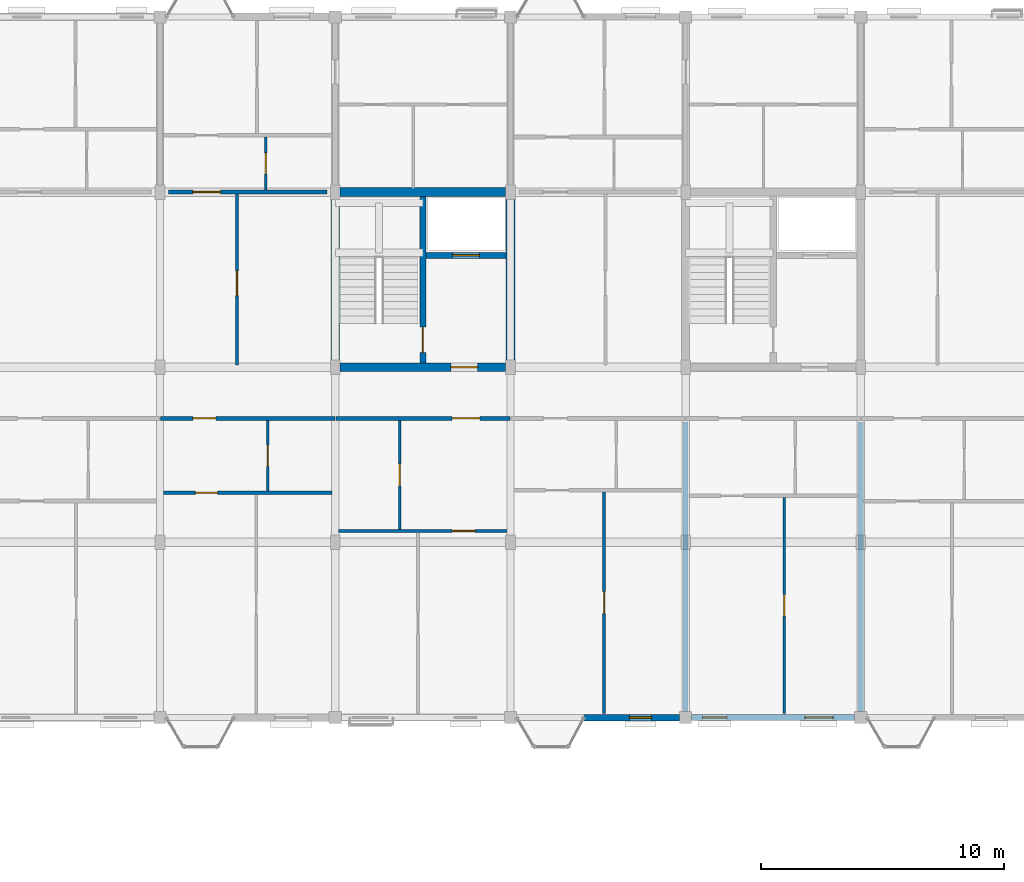
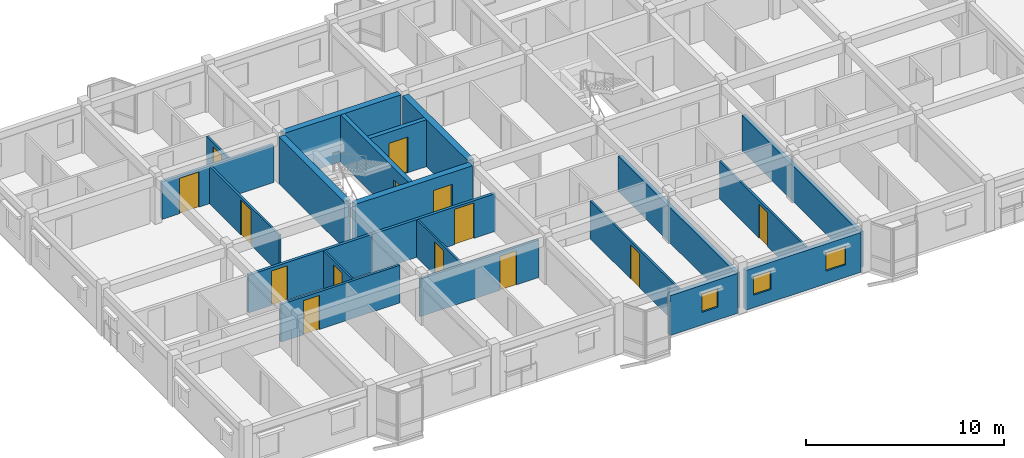
# One storey, part 53 of 64: 21 walls, 14 doors, 3 windows, 17 openings.
"""IFC4 building model written with IfcOpenShell, lengths in metres."""

from ifc_helpers import new_model, si_unit, direction, frame, frame_2d, origin, place, context, subcontext, project, spatial, rectangle, extrude, material, layer, layer_set, type_object, element, fill, save


model = new_model("IFC4")

# Units and contexts
model_context = context("Model", 3, precision=1e-05, world=origin(), true_north=direction((0.0, 1.0)))
body_context = subcontext(model_context, "Body", "Model", "MODEL_VIEW")
ifc_project = project(units=[si_unit("LENGTHUNIT", "METRE"), si_unit("AREAUNIT", "SQUARE_METRE"), si_unit("VOLUMEUNIT", "CUBIC_METRE"), si_unit("PLANEANGLEUNIT", "RADIAN"), si_unit("MASSUNIT", "GRAM", prefix="KILO"), si_unit("THERMODYNAMICTEMPERATUREUNIT", "KELVIN"), si_unit("POWERUNIT", "WATT")], contexts=[model_context])

# Site, building, storey
site_placement = place(None, origin())
site = spatial("IfcSite", under=ifc_project, at=site_placement, CompositionType="ELEMENT")
building_placement = place(site_placement, origin())
building = spatial("IfcBuilding", under=site, at=building_placement, Name="Tavuni Mirador Residences", CompositionType="ELEMENT")
storey_placement = place(building_placement, frame((0.0, 0.0, 26.550048828125)))
storey = spatial("IfcBuildingStorey", under=building, at=storey_placement, Name="L08", CompositionType="ELEMENT", Elevation=26.550048828125)

# Wall, opening, door
ifc_material_1 = material(Name="Precast concrete C40/50", Category="concrete")
ifc_layer_1 = layer(ifc_material_1, 0.25, Name="Precast concrete C40/50", Category="concrete")
ifc_layer_set_1 = layer_set([ifc_layer_1], Name="Precast concrete C40/50")
wall_type_1 = type_object("IfcWallType", Name="WT-COR250", PredefinedType="SHEAR", material=ifc_layer_set_1)
wall_1_placement = place(storey_placement, frame((28.800048828125, 158.580078125, 0.0), z_axis=(0.0, 0.0, 1.0), x_axis=(0.0, 1.0, 0.0)))
wall_1 = element("IfcWall", 1, at=wall_1_placement, inside=storey, type_object=wall_type_1, Name="CWALL-C5-L08-MID", PredefinedType="SHEAR", context=body_context, shape_type="SweptSolid", body=[
    extrude(rectangle(XDim=6.83984375, YDim=0.25, at=frame_2d((3.419921875, 0.0))), origin(), (0.0, 0.0, 1.0), 2.885009765625),
])
opening_1_placement = place(wall_1_placement, frame((0.419921875, 0.0, 0.0)))
opening_1 = element("IfcOpeningElement", 2, at=opening_1_placement, cuts=wall_1, Name="Opening D-01", PredefinedType="OPENING", context=body_context, shape_type="SweptSolid", body=[
    extrude(rectangle(XDim=1.050048828125, YDim=2.14990234375, at=frame_2d((0.52490234375, 1.074951171875))), frame((0.0, 0.135009765625, 0.0), z_axis=(0.0, -1.0, 0.0), x_axis=(1.0, 0.0, 0.0)), (0.0, 0.0, 1.0), 0.27001953125),
])
ifc_material_2 = material(Name="Solid core iroko timber", Category="wood")
door_type_1 = type_object("IfcDoorType", Name="DT-ST1050", OperationType="NOTDEFINED", PredefinedType="DOOR", material=ifc_material_2)
door_1_placement = place(opening_1_placement, origin())
door_1 = element("IfcDoor", 3, at=door_1_placement, inside=storey, type_object=door_type_1, Name="DR-2199", OperationType="SINGLE_SWING_LEFT", OverallHeight=2.14990234375, OverallWidth=1.050048828125, PredefinedType="DOOR", context=body_context, shape_type="SweptSolid", body=[
    extrude(rectangle(XDim=1.050048828125, YDim=2.14990234375, at=frame_2d((0.52490234375, 1.074951171875))), frame((0.0, 0.02490234375, 0.0), z_axis=(0.0, -1.0, 0.0), x_axis=(1.0, 0.0, 0.0)), (0.0, 0.0, 1.0), 0.050048828125),
])
fill(opening_1, door_1)

wall_2_placement = place(storey_placement, frame((28.925048828125, 163.0, 0.0), z_axis=(0.0, 0.0, 1.0), x_axis=(1.0, 0.0, 0.0)))
wall_2 = element("IfcWall", 4, at=wall_2_placement, inside=storey, type_object=wall_type_1, Name="CWALL-C5-L08-SHF", PredefinedType="SHEAR", context=body_context, shape_type="SweptSolid", body=[
    extrude(rectangle(XDim=3.294921875, YDim=0.25, at=frame_2d((1.6474609375, 0.0))), origin(), (0.0, 0.0, 1.0), 2.885009765625),
])
opening_2_placement = place(wall_2_placement, frame((1.10009765625, 0.0, 0.0)))
opening_2 = element("IfcOpeningElement", 5, at=opening_2_placement, cuts=wall_2, Name="Opening LD-01", PredefinedType="OPENING", context=body_context, shape_type="SweptSolid", body=[
    extrude(rectangle(XDim=1.10009765625, YDim=2.199951171875, at=frame_2d((0.550048828125, 1.10009765625))), frame((0.0, 0.135009765625, 0.0), z_axis=(0.0, -1.0, 0.0), x_axis=(1.0, 0.0, 0.0)), (0.0, 0.0, 1.0), 0.27001953125),
])
ifc_material_3 = material(Name="Structural steel S355", Category="steel")
door_type_2 = type_object("IfcDoorType", Name="DT-LD-FF", OperationType="SLIDING_TO_LEFT", PredefinedType="DOOR", material=ifc_material_3)
door_2_placement = place(opening_2_placement, origin())
door_2 = element("IfcDoor", 6, at=door_2_placement, inside=storey, type_object=door_type_2, Name="Lift landing door FL-C1 L08", OperationType="SLIDING_TO_LEFT", OverallHeight=2.199951171875, OverallWidth=1.10009765625, PredefinedType="DOOR", context=body_context, shape_type="SweptSolid", body=[
    extrude(rectangle(XDim=1.10009765625, YDim=2.199951171875, at=frame_2d((0.550048828125, 1.10009765625))), frame((0.0, 0.02490234375, 0.0), z_axis=(0.0, -1.0, 0.0), x_axis=(1.0, 0.0, 0.0)), (0.0, 0.0, 1.0), 0.050048828125),
])
fill(opening_2, door_2)

# Walls
ifc_layer_2 = layer(ifc_material_1, 0.360107421875, Name="Precast concrete C40/50", Category="concrete")
ifc_layer_set_2 = layer_set([ifc_layer_2], Name="Precast concrete C40/50")
wall_type_2 = type_object("IfcWallType", Name="WT-COR360", PredefinedType="SHEAR", material=ifc_layer_set_2)
wall_3_placement = place(storey_placement, frame((25.199951171875, 158.699951171875, 0.0), z_axis=(0.0, 0.0, 1.0), x_axis=(0.0, 1.0, 0.0)))
element("IfcWall", 7, at=wall_3_placement, inside=storey, type_object=wall_type_2, Name="CWALL-C5-L08-W", PredefinedType="SHEAR", context=body_context, shape_type="SweptSolid", body=[
    extrude(rectangle(XDim=6.60009765625, YDim=0.360107421875, at=frame_2d((3.300048828125, 0.0))), origin(), (0.0, 0.0, 1.0), 2.885009765625),
])
wall_4_placement = place(storey_placement, frame((25.39990234375, 165.60009765625, 0.0), z_axis=(0.0, 0.0, 1.0), x_axis=(1.0, 0.0, 0.0)))
element("IfcWall", 8, at=wall_4_placement, inside=storey, type_object=wall_type_2, Name="CWALL-C5-L08-N", PredefinedType="SHEAR", context=body_context, shape_type="SweptSolid", body=[
    extrude(rectangle(XDim=6.800048828125, YDim=0.360107421875, at=frame_2d((3.39990234375, 0.0))), origin(), (0.0, 0.0, 1.0), 2.885009765625),
])
wall_5_placement = place(storey_placement, frame((32.39990234375, 158.699951171875, 0.0), z_axis=(0.0, 0.0, 1.0), x_axis=(0.0, 1.0, 0.0)))
element("IfcWall", 9, at=wall_5_placement, inside=storey, type_object=wall_type_2, Name="CWALL-C5-L08-E", PredefinedType="SHEAR", context=body_context, shape_type="SweptSolid", body=[
    extrude(rectangle(XDim=6.60009765625, YDim=0.360107421875, at=frame_2d((3.300048828125, 0.0))), origin(), (0.0, 0.0, 1.0), 2.885009765625),
])

# Wall, opening, door
wall_6_placement = place(storey_placement, frame((25.39990234375, 158.39990234375, 0.0), z_axis=(0.0, 0.0, 1.0), x_axis=(1.0, 0.0, 0.0)))
wall_6 = element("IfcWall", 10, at=wall_6_placement, inside=storey, type_object=wall_type_2, Name="CWALL-C5-L08-SS", PredefinedType="SHEAR", context=body_context, shape_type="SweptSolid", body=[
    extrude(rectangle(XDim=6.800048828125, YDim=0.360107421875, at=frame_2d((3.39990234375, 0.0))), origin(), (0.0, 0.0, 1.0), 2.885009765625),
])
opening_3_placement = place(wall_6_placement, frame((4.550048828125, 0.0, 0.0)))
opening_3 = element("IfcOpeningElement", 11, at=opening_3_placement, cuts=wall_6, Name="Opening D-02", PredefinedType="OPENING", context=body_context, shape_type="SweptSolid", body=[
    extrude(rectangle(XDim=1.10009765625, YDim=2.14990234375, at=frame_2d((0.550048828125, 1.074951171875))), frame((0.0, 0.18994140625, 0.0), z_axis=(0.0, -1.0, 0.0), x_axis=(1.0, 0.0, 0.0)), (0.0, 0.0, 1.0), 0.380126953125),
])
door_type_3 = type_object("IfcDoorType", Name="DT-LOB1100", OperationType="NOTDEFINED", PredefinedType="DOOR", material=ifc_material_2)
door_3_placement = place(opening_3_placement, frame((1.10009765625, 0.0, 0.0), z_axis=(0.0, 0.0, 1.0), x_axis=(-1.0, 0.0, 0.0)))
door_3 = element("IfcDoor", 12, at=door_3_placement, inside=storey, type_object=door_type_3, Name="DR-2198", OperationType="SINGLE_SWING_RIGHT", OverallHeight=2.14990234375, OverallWidth=1.10009765625, PredefinedType="DOOR", context=body_context, shape_type="SweptSolid", body=[
    extrude(rectangle(XDim=1.10009765625, YDim=2.14990234375, at=frame_2d((0.550048828125, 1.074951171875))), frame((0.0, 0.02490234375, 0.0), z_axis=(0.0, -1.0, 0.0), x_axis=(1.0, 0.0, 0.0)), (0.0, 0.0, 1.0), 0.050048828125),
])
fill(opening_3, door_3)

ifc_layer_3 = layer(ifc_material_1, 0.1650390625, Name="Precast concrete C40/50", Category="concrete")
ifc_layer_set_3 = layer_set([ifc_layer_3], Name="Precast concrete C40/50")
wall_type_3 = type_object("IfcWallType", Name="WT-CORR165", PredefinedType="PARTITIONING", material=ifc_layer_set_3)
wall_7_placement = place(storey_placement, frame((18.02001953125, 156.300048828125, 0.0), z_axis=(0.0, 0.0, 1.0), x_axis=(1.0, 0.0, 0.0)))
wall_7 = element("IfcWall", 13, at=wall_7_placement, inside=storey, type_object=wall_type_3, Name="CORW-BLK-C-L08-0-01", PredefinedType="PARTITIONING", context=body_context, shape_type="SweptSolid", body=[
    extrude(rectangle(XDim=7.159912109375, YDim=0.1650390625, at=frame_2d((3.580078125, 0.0))), origin(), (0.0, 0.0, 1.0), 2.320068359375),
])
opening_4_placement = place(wall_7_placement, frame((1.330078125, 0.0, 0.0)))
opening_4 = element("IfcOpeningElement", 14, at=opening_4_placement, cuts=wall_7, Name="Opening D-19", PredefinedType="OPENING", context=body_context, shape_type="SweptSolid", body=[
    extrude(rectangle(XDim=0.93994140625, YDim=2.1201171875, at=frame_2d((0.469970703125, 1.06005859375))), frame((0.0, 0.092529296875, 0.0), z_axis=(0.0, -1.0, 0.0), x_axis=(1.0, 0.0, 0.0)), (0.0, 0.0, 1.0), 0.18505859375),
])
door_type_4 = type_object("IfcDoorType", Name="DT-FD60-940", OperationType="NOTDEFINED", PredefinedType="DOOR", material=ifc_material_2)
door_4_placement = place(opening_4_placement, origin())
door_4 = element("IfcDoor", 15, at=door_4_placement, inside=storey, type_object=door_type_4, Name="DR-2740", OperationType="SINGLE_SWING_LEFT", OverallHeight=2.1201171875, OverallWidth=0.93994140625, PredefinedType="DOOR", context=body_context, shape_type="SweptSolid", body=[
    extrude(rectangle(XDim=0.93994140625, YDim=2.1201171875, at=frame_2d((0.469970703125, 1.06005859375))), frame((0.0, 0.02490234375, 0.0), z_axis=(0.0, -1.0, 0.0), x_axis=(1.0, 0.0, 0.0)), (0.0, 0.0, 1.0), 0.050048828125),
])
fill(opening_4, door_4)

wall_8_placement = place(storey_placement, frame((25.219970703125, 156.300048828125, 0.0), z_axis=(0.0, 0.0, 1.0), x_axis=(1.0, 0.0, 0.0)))
wall_8 = element("IfcWall", 16, at=wall_8_placement, inside=storey, type_object=wall_type_3, Name="CORW-BLK-C-L08-0-02", PredefinedType="PARTITIONING", context=body_context, shape_type="SweptSolid", body=[
    extrude(rectangle(XDim=7.159912109375, YDim=0.1650390625, at=frame_2d((3.580078125, 0.0))), origin(), (0.0, 0.0, 1.0), 2.320068359375),
])
opening_5_placement = place(wall_8_placement, frame((4.780029296875, 0.0, 0.0)))
opening_5 = element("IfcOpeningElement", 17, at=opening_5_placement, cuts=wall_8, Name="Opening D-20", PredefinedType="OPENING", context=body_context, shape_type="SweptSolid", body=[
    extrude(rectangle(XDim=1.139892578125, YDim=2.179931640625, at=frame_2d((0.56982421875, 1.08984375))), frame((0.0, 0.092529296875, 0.0), z_axis=(0.0, -1.0, 0.0), x_axis=(1.0, 0.0, 0.0)), (0.0, 0.0, 1.0), 0.18505859375),
])
door_type_5 = type_object("IfcDoorType", Name="DT-FD60-1140", OperationType="NOTDEFINED", PredefinedType="DOOR", material=ifc_material_2)
door_5_placement = place(opening_5_placement, origin())
door_5 = element("IfcDoor", 18, at=door_5_placement, inside=storey, type_object=door_type_5, Name="DR-2741", OperationType="SINGLE_SWING_RIGHT", OverallHeight=2.179931640625, OverallWidth=1.139892578125, PredefinedType="DOOR", context=body_context, shape_type="SweptSolid", body=[
    extrude(rectangle(XDim=1.139892578125, YDim=2.179931640625, at=frame_2d((0.56982421875, 1.08984375))), frame((0.0, 0.02490234375, 0.0), z_axis=(0.0, -1.0, 0.0), x_axis=(1.0, 0.0, 0.0)), (0.0, 0.0, 1.0), 0.050048828125),
])
fill(opening_5, door_5)

wall_9_placement = place(storey_placement, frame((18.35009765625, 165.60009765625, 0.0), z_axis=(0.0, 0.0, 1.0), x_axis=(1.0, 0.0, 0.0)))
wall_9 = element("IfcWall", 19, at=wall_9_placement, inside=storey, type_object=wall_type_3, Name="CORW-BLK-C-L08-1-01", PredefinedType="PARTITIONING", context=body_context, shape_type="SweptSolid", body=[
    extrude(rectangle(XDim=6.5, YDim=0.1650390625, at=frame_2d((3.25, 0.0))), origin(), (0.0, 0.0, 1.0), 2.320068359375),
])
opening_6_placement = place(wall_9_placement, frame((1.0, 0.0, 0.0)))
opening_6 = element("IfcOpeningElement", 20, at=opening_6_placement, cuts=wall_9, Name="Opening D-20", PredefinedType="OPENING", context=body_context, shape_type="SweptSolid", body=[
    extrude(rectangle(XDim=1.139892578125, YDim=2.179931640625, at=frame_2d((0.56982421875, 1.08984375))), frame((0.0, 0.092529296875, 0.0), z_axis=(0.0, -1.0, 0.0), x_axis=(1.0, 0.0, 0.0)), (0.0, 0.0, 1.0), 0.18505859375),
])
door_6_placement = place(opening_6_placement, origin())
door_6 = element("IfcDoor", 21, at=door_6_placement, inside=storey, type_object=door_type_5, Name="DR-2747", OperationType="SINGLE_SWING_RIGHT", OverallHeight=2.179931640625, OverallWidth=1.139892578125, PredefinedType="DOOR", context=body_context, shape_type="SweptSolid", body=[
    extrude(rectangle(XDim=1.139892578125, YDim=2.179931640625, at=frame_2d((0.56982421875, 1.08984375))), frame((0.0, 0.02490234375, 0.0), z_axis=(0.0, -1.0, 0.0), x_axis=(1.0, 0.0, 0.0)), (0.0, 0.0, 1.0), 0.050048828125),
])
fill(opening_6, door_6)

# Wall, openings, windows
ifc_material_4 = material(Name="Sgraffito lime-rendered precast concrete C40/50", Category="concrete")
ifc_layer_4 = layer(ifc_material_4, 0.2548828125, Name="Sgraffito lime-rendered precast concrete C40/50", Category="concrete")
ifc_layer_set_4 = layer_set([ifc_layer_4], Name="Sgraffito lime-rendered precast concrete C40/50")
wall_type_4 = type_object("IfcWallType", Name="WT-EXT-PC255", PredefinedType="SOLIDWALL", material=ifc_layer_set_4)
wall_10_placement = place(storey_placement, frame((39.85009765625, 144.0, 0.0), z_axis=(0.0, 0.0, 1.0), x_axis=(1.0, 0.0, 0.0)))
wall_10 = element("IfcWall", 22, at=wall_10_placement, inside=storey, type_object=wall_type_4, Name="EW-BLK-C-L08-S04", PredefinedType="SOLIDWALL", context=body_context, shape_type="SweptSolid", body=[
    extrude(rectangle(XDim=6.699951171875, YDim=0.2548828125, at=frame_2d((3.35009765625, 0.0))), origin(), (0.0, 0.0, 1.0), 2.454833984375),
])
opening_7_placement = place(wall_10_placement, frame((0.449951171875, 0.0, 0.780029296875)))
opening_7 = element("IfcOpeningElement", 23, at=opening_7_placement, cuts=wall_10, Name="Opening WN-03", PredefinedType="OPENING", context=body_context, shape_type="SweptSolid", body=[
    extrude(rectangle(XDim=1.0, YDim=1.14990234375, at=frame_2d((0.5, 0.574951171875))), frame((0.0, 0.137451171875, 0.0), z_axis=(0.0, -1.0, 0.0), x_axis=(1.0, 0.0, 0.0)), (0.0, 0.0, 1.0), 0.27490234375),
])
opening_8_placement = place(wall_10_placement, frame((4.64990234375, 0.0, 0.780029296875)))
opening_8 = element("IfcOpeningElement", 24, at=opening_8_placement, cuts=wall_10, Name="Opening WN-05", PredefinedType="OPENING", context=body_context, shape_type="SweptSolid", body=[
    extrude(rectangle(XDim=1.159912109375, YDim=1.14990234375, at=frame_2d((0.580078125, 0.574951171875))), frame((0.0, 0.137451171875, 0.0), z_axis=(0.0, -1.0, 0.0), x_axis=(1.0, 0.0, 0.0)), (0.0, 0.0, 1.0), 0.27490234375),
])
ifc_material_5 = material(Name="Laminated solar-control glass", Category="glass")
window_type_1 = type_object("IfcWindowType", Name="WNT-03", PartitioningType="SINGLE_PANEL", PredefinedType="WINDOW", material=ifc_material_5)
window_1_placement = place(opening_7_placement, origin())
window_1 = element("IfcWindow", 25, at=window_1_placement, inside=storey, type_object=window_type_1, Name="WIN-1194", OverallHeight=1.14990234375, OverallWidth=1.0, PartitioningType="SINGLE_PANEL", PredefinedType="WINDOW", context=body_context, shape_type="SweptSolid", body=[
    extrude(rectangle(XDim=1.0, YDim=1.14990234375, at=frame_2d((0.5, 0.574951171875))), frame((0.0, 0.030029296875, 0.0), z_axis=(0.0, -1.0, 0.0), x_axis=(1.0, 0.0, 0.0)), (0.0, 0.0, 1.0), 0.06005859375),
])
fill(opening_7, window_1)
window_type_2 = type_object("IfcWindowType", Name="WNT-05", PartitioningType="SINGLE_PANEL", PredefinedType="WINDOW", material=ifc_material_5)
window_2_placement = place(opening_8_placement, origin())
window_2 = element("IfcWindow", 26, at=window_2_placement, inside=storey, type_object=window_type_2, Name="WIN-1195", OverallHeight=1.14990234375, OverallWidth=1.159912109375, PartitioningType="SINGLE_PANEL", PredefinedType="WINDOW", context=body_context, shape_type="SweptSolid", body=[
    extrude(rectangle(XDim=1.159912109375, YDim=1.14990234375, at=frame_2d((0.580078125, 0.574951171875))), frame((0.0, 0.030029296875, 0.0), z_axis=(0.0, -1.0, 0.0), x_axis=(1.0, 0.0, 0.0)), (0.0, 0.0, 1.0), 0.06005859375),
])
fill(opening_8, window_2)

# Wall, opening, window
ifc_layer_5 = layer(ifc_material_4, 0.27490234375, Name="Sgraffito lime-rendered precast concrete C40/50", Category="concrete")
ifc_layer_set_5 = layer_set([ifc_layer_5], Name="Sgraffito lime-rendered precast concrete C40/50")
wall_type_5 = type_object("IfcWallType", Name="WT-EXT-PC275", PredefinedType="SOLIDWALL", material=ifc_layer_set_5)
wall_11_placement = place(storey_placement, frame((35.419921875, 144.0, 0.0), z_axis=(0.0, 0.0, 1.0), x_axis=(1.0, 0.0, 0.0)))
wall_11 = element("IfcWall", 27, at=wall_11_placement, inside=storey, type_object=wall_type_5, Name="EW-BLK-C-L08-S03", PredefinedType="SOLIDWALL", context=body_context, shape_type="SweptSolid", body=[
    extrude(rectangle(XDim=3.93017578125, YDim=0.27490234375, at=frame_2d((1.965087890625, 0.0))), origin(), (0.0, 0.0, 1.0), 2.454833984375),
])
opening_9_placement = place(wall_11_placement, frame((1.864990234375, 0.0, 0.780029296875)))
opening_9 = element("IfcOpeningElement", 28, at=opening_9_placement, cuts=wall_11, Name="Opening WN-02", PredefinedType="OPENING", context=body_context, shape_type="SweptSolid", body=[
    extrude(rectangle(XDim=0.919921875, YDim=1.14990234375, at=frame_2d((0.4599609375, 0.574951171875))), frame((0.0, 0.1474609375, 0.0), z_axis=(0.0, -1.0, 0.0), x_axis=(1.0, 0.0, 0.0)), (0.0, 0.0, 1.0), 0.294921875),
])
window_type_3 = type_object("IfcWindowType", Name="WNT-02", PartitioningType="SINGLE_PANEL", PredefinedType="WINDOW", material=ifc_material_5)
window_3_placement = place(opening_9_placement, origin())
window_3 = element("IfcWindow", 29, at=window_3_placement, inside=storey, type_object=window_type_3, Name="WIN-1193", OverallHeight=1.14990234375, OverallWidth=0.919921875, PartitioningType="SINGLE_PANEL", PredefinedType="WINDOW", context=body_context, shape_type="SweptSolid", body=[
    extrude(rectangle(XDim=0.919921875, YDim=1.14990234375, at=frame_2d((0.4599609375, 0.574951171875))), frame((0.0, 0.030029296875, 0.0), z_axis=(0.0, -1.0, 0.0), x_axis=(1.0, 0.0, 0.0)), (0.0, 0.0, 1.0), 0.06005859375),
])
fill(opening_9, window_3)

# Wall, opening, door
ifc_material_6 = material(Name="Acoustic gypsum and concrete block partition", Category="concrete")
ifc_layer_6 = layer(ifc_material_6, 0.094970703125, Name="Acoustic gypsum and concrete block partition", Category="concrete")
ifc_layer_set_6 = layer_set([ifc_layer_6], Name="Acoustic gypsum and concrete block partition")
wall_type_6 = type_object("IfcWallType", Name="WT-PART095", PredefinedType="PARTITIONING", material=ifc_layer_set_6)
wall_12_placement = place(storey_placement, frame((22.340087890625, 165.68994140625, 0.0), z_axis=(0.0, 0.0, 1.0), x_axis=(0.0, 1.0, 0.0)))
wall_12 = element("IfcWall", 30, at=wall_12_placement, inside=storey, type_object=wall_type_6, Name="PW-BLK-C-L08-N01-IN1", PredefinedType="PARTITIONING", context=body_context, shape_type="SweptSolid", body=[
    extrude(rectangle(XDim=2.18017578125, YDim=0.094970703125, at=frame_2d((1.090087890625, 0.0))), origin(), (0.0, 0.0, 1.0), 2.320068359375),
])
opening_10_placement = place(wall_12_placement, frame((0.655029296875, 0.0, 0.0)))
opening_10 = element("IfcOpeningElement", 31, at=opening_10_placement, cuts=wall_12, Name="Opening D-10", PredefinedType="OPENING", context=body_context, shape_type="SweptSolid", body=[
    extrude(rectangle(XDim=0.8701171875, YDim=2.050048828125, at=frame_2d((0.43505859375, 1.02490234375))), frame((0.0, 0.0576171875, 0.0), z_axis=(0.0, -1.0, 0.0), x_axis=(1.0, 0.0, 0.0)), (0.0, 0.0, 1.0), 0.114990234375),
])
door_type_6 = type_object("IfcDoorType", Name="DT-WC870", OperationType="NOTDEFINED", PredefinedType="DOOR", material=ifc_material_2)
door_7_placement = place(opening_10_placement, origin())
door_7 = element("IfcDoor", 32, at=door_7_placement, inside=storey, type_object=door_type_6, Name="DR-4083", OperationType="SINGLE_SWING_RIGHT", OverallHeight=2.050048828125, OverallWidth=0.8701171875, PredefinedType="DOOR", context=body_context, shape_type="SweptSolid", body=[
    extrude(rectangle(XDim=0.8701171875, YDim=2.050048828125, at=frame_2d((0.43505859375, 1.02490234375))), frame((0.0, 0.02490234375, 0.0), z_axis=(0.0, -1.0, 0.0), x_axis=(1.0, 0.0, 0.0)), (0.0, 0.0, 1.0), 0.050048828125),
])
fill(opening_10, door_7)

ifc_layer_7 = layer(ifc_material_6, 0.10498046875, Name="Acoustic gypsum and concrete block partition", Category="concrete")
ifc_layer_set_7 = layer_set([ifc_layer_7], Name="Acoustic gypsum and concrete block partition")
wall_type_7 = type_object("IfcWallType", Name="WT-PART105", PredefinedType="PARTITIONING", material=ifc_layer_set_7)
wall_13_placement = place(storey_placement, frame((22.419921875, 153.31005859375, 0.0), z_axis=(0.0, 0.0, 1.0), x_axis=(0.0, 1.0, 0.0)))
wall_13 = element("IfcWall", 33, at=wall_13_placement, inside=storey, type_object=wall_type_7, Name="PW-BLK-C-L08-S01-IN1", PredefinedType="PARTITIONING", context=body_context, shape_type="SweptSolid", body=[
    extrude(rectangle(XDim=2.89990234375, YDim=0.10498046875, at=frame_2d((1.449951171875, 0.0))), origin(), (0.0, 0.0, 1.0), 2.320068359375),
])
opening_11_placement = place(wall_13_placement, frame((1.014892578125, 0.0, 0.0)))
opening_11 = element("IfcOpeningElement", 34, at=opening_11_placement, cuts=wall_13, Name="Opening D-10", PredefinedType="OPENING", context=body_context, shape_type="SweptSolid", body=[
    extrude(rectangle(XDim=0.8701171875, YDim=2.050048828125, at=frame_2d((0.43505859375, 1.02490234375))), frame((0.0, 0.0625, 0.0), z_axis=(0.0, -1.0, 0.0), x_axis=(1.0, 0.0, 0.0)), (0.0, 0.0, 1.0), 0.125),
])
door_8_placement = place(opening_11_placement, origin())
door_8 = element("IfcDoor", 35, at=door_8_placement, inside=storey, type_object=door_type_6, Name="DR-4080", OperationType="SINGLE_SWING_RIGHT", OverallHeight=2.050048828125, OverallWidth=0.8701171875, PredefinedType="DOOR", context=body_context, shape_type="SweptSolid", body=[
    extrude(rectangle(XDim=0.8701171875, YDim=2.050048828125, at=frame_2d((0.43505859375, 1.02490234375))), frame((0.0, 0.02490234375, 0.0), z_axis=(0.0, -1.0, 0.0), x_axis=(1.0, 0.0, 0.0)), (0.0, 0.0, 1.0), 0.050048828125),
])
fill(opening_11, door_8)

wall_14_placement = place(storey_placement, frame((27.85009765625, 151.739990234375, 0.0), z_axis=(0.0, 0.0, 1.0), x_axis=(0.0, 1.0, 0.0)))
wall_14 = element("IfcWall", 36, at=wall_14_placement, inside=storey, type_object=wall_type_7, Name="PW-BLK-C-L08-S02-IN1", PredefinedType="PARTITIONING", context=body_context, shape_type="SweptSolid", body=[
    extrude(rectangle(XDim=4.469970703125, YDim=0.10498046875, at=frame_2d((2.23486328125, 0.0))), origin(), (0.0, 0.0, 1.0), 2.320068359375),
])
opening_12_placement = place(wall_14_placement, frame((1.784912109375, 0.0, 0.0)))
opening_12 = element("IfcOpeningElement", 37, at=opening_12_placement, cuts=wall_14, Name="Opening D-09", PredefinedType="OPENING", context=body_context, shape_type="SweptSolid", body=[
    extrude(rectangle(XDim=0.89990234375, YDim=2.050048828125, at=frame_2d((0.449951171875, 1.02490234375))), frame((0.0, 0.0625, 0.0), z_axis=(0.0, -1.0, 0.0), x_axis=(1.0, 0.0, 0.0)), (0.0, 0.0, 1.0), 0.125),
])
door_type_7 = type_object("IfcDoorType", Name="DT-WC900", OperationType="NOTDEFINED", PredefinedType="DOOR", material=ifc_material_2)
door_9_placement = place(opening_12_placement, origin())
door_9 = element("IfcDoor", 38, at=door_9_placement, inside=storey, type_object=door_type_7, Name="DR-4086", OperationType="SINGLE_SWING_LEFT", OverallHeight=2.050048828125, OverallWidth=0.89990234375, PredefinedType="DOOR", context=body_context, shape_type="SweptSolid", body=[
    extrude(rectangle(XDim=0.89990234375, YDim=2.050048828125, at=frame_2d((0.449951171875, 1.02490234375))), frame((0.0, 0.02490234375, 0.0), z_axis=(0.0, -1.0, 0.0), x_axis=(1.0, 0.0, 0.0)), (0.0, 0.0, 1.0), 0.050048828125),
])
fill(opening_12, door_9)

ifc_layer_8 = layer(ifc_material_6, 0.114990234375, Name="Acoustic gypsum and concrete block partition", Category="concrete")
ifc_layer_set_8 = layer_set([ifc_layer_8], Name="Acoustic gypsum and concrete block partition")
wall_type_8 = type_object("IfcWallType", Name="WT-PART115", PredefinedType="PARTITIONING", material=ifc_layer_set_8)
wall_15_placement = place(storey_placement, frame((36.25, 144.175048828125, 0.0), z_axis=(0.0, 0.0, 1.0), x_axis=(0.0, 1.0, 0.0)))
wall_15 = element("IfcWall", 39, at=wall_15_placement, inside=storey, type_object=wall_type_8, Name="PW-BLK-C-L08-S03-OUT", PredefinedType="PARTITIONING", context=body_context, shape_type="SweptSolid", body=[
    extrude(rectangle(XDim=9.10498046875, YDim=0.114990234375, at=frame_2d((4.552490234375, 0.0))), origin(), (0.0, 0.0, 1.0), 2.320068359375),
])
opening_13_placement = place(wall_15_placement, frame((4.1025390625, 0.0, 0.0)))
opening_13 = element("IfcOpeningElement", 40, at=opening_13_placement, cuts=wall_15, Name="Opening D-07", PredefinedType="OPENING", context=body_context, shape_type="SweptSolid", body=[
    extrude(rectangle(XDim=0.89990234375, YDim=2.10009765625, at=frame_2d((0.449951171875, 1.050048828125))), frame((0.0, 0.0673828125, 0.0), z_axis=(0.0, -1.0, 0.0), x_axis=(1.0, 0.0, 0.0)), (0.0, 0.0, 1.0), 0.135009765625),
])
door_type_8 = type_object("IfcDoorType", Name="DT-BED900", OperationType="NOTDEFINED", PredefinedType="DOOR", material=ifc_material_2)
door_10_placement = place(opening_13_placement, origin())
door_10 = element("IfcDoor", 41, at=door_10_placement, inside=storey, type_object=door_type_8, Name="DR-4091", OperationType="SINGLE_SWING_RIGHT", OverallHeight=2.10009765625, OverallWidth=0.89990234375, PredefinedType="DOOR", context=body_context, shape_type="SweptSolid", body=[
    extrude(rectangle(XDim=0.89990234375, YDim=2.10009765625, at=frame_2d((0.449951171875, 1.050048828125))), frame((0.0, 0.02490234375, 0.0), z_axis=(0.0, -1.0, 0.0), x_axis=(1.0, 0.0, 0.0)), (0.0, 0.0, 1.0), 0.050048828125),
])
fill(opening_13, door_10)

wall_16_placement = place(storey_placement, frame((43.64990234375, 144.175048828125, 0.0), z_axis=(0.0, 0.0, 1.0), x_axis=(0.0, 1.0, 0.0)))
wall_16 = element("IfcWall", 42, at=wall_16_placement, inside=storey, type_object=wall_type_8, Name="PW-BLK-C-L08-S04-OUT", PredefinedType="PARTITIONING", context=body_context, shape_type="SweptSolid", body=[
    extrude(rectangle(XDim=8.875, YDim=0.114990234375, at=frame_2d((4.4375, 0.0))), origin(), (0.0, 0.0, 1.0), 2.320068359375),
])
opening_14_placement = place(wall_16_placement, frame((3.99755859375, 0.0, 0.0)))
opening_14 = element("IfcOpeningElement", 43, at=opening_14_placement, cuts=wall_16, Name="Opening D-08", PredefinedType="OPENING", context=body_context, shape_type="SweptSolid", body=[
    extrude(rectangle(XDim=0.8798828125, YDim=2.080078125, at=frame_2d((0.43994140625, 1.0400390625))), frame((0.0, 0.0673828125, 0.0), z_axis=(0.0, -1.0, 0.0), x_axis=(1.0, 0.0, 0.0)), (0.0, 0.0, 1.0), 0.135009765625),
])
door_type_9 = type_object("IfcDoorType", Name="DT-BED880", OperationType="NOTDEFINED", PredefinedType="DOOR", material=ifc_material_2)
door_11_placement = place(opening_14_placement, origin())
door_11 = element("IfcDoor", 44, at=door_11_placement, inside=storey, type_object=door_type_9, Name="DR-4097", OperationType="SINGLE_SWING_LEFT", OverallHeight=2.080078125, OverallWidth=0.8798828125, PredefinedType="DOOR", context=body_context, shape_type="SweptSolid", body=[
    extrude(rectangle(XDim=0.8798828125, YDim=2.080078125, at=frame_2d((0.43994140625, 1.0400390625))), frame((0.0, 0.02490234375, 0.0), z_axis=(0.0, -1.0, 0.0), x_axis=(1.0, 0.0, 0.0)), (0.0, 0.0, 1.0), 0.050048828125),
])
fill(opening_14, door_11)

ifc_layer_9 = layer(ifc_material_6, 0.125, Name="Acoustic gypsum and concrete block partition", Category="concrete")
ifc_layer_set_9 = layer_set([ifc_layer_9], Name="Acoustic gypsum and concrete block partition")
wall_type_9 = type_object("IfcWallType", Name="WT-PART125", PredefinedType="PARTITIONING", material=ifc_layer_set_9)
wall_17_placement = place(storey_placement, frame((21.159912109375, 158.489990234375, 0.0), z_axis=(0.0, 0.0, 1.0), x_axis=(0.0, 1.0, 0.0)))
wall_17 = element("IfcWall", 45, at=wall_17_placement, inside=storey, type_object=wall_type_9, Name="PW-SPN-BLK-C-L08-01", PredefinedType="PARTITIONING", context=body_context, shape_type="SweptSolid", body=[
    extrude(rectangle(XDim=7.02001953125, YDim=0.125, at=frame_2d((3.510009765625, 0.0))), origin(), (0.0, 0.0, 1.0), 2.320068359375),
])
opening_15_placement = place(wall_17_placement, frame((2.85009765625, 0.0, 0.0)))
opening_15 = element("IfcOpeningElement", 46, at=opening_15_placement, cuts=wall_17, Name="Opening D-13", PredefinedType="OPENING", context=body_context, shape_type="SweptSolid", body=[
    extrude(rectangle(XDim=1.02001953125, YDim=2.14990234375, at=frame_2d((0.510009765625, 1.074951171875))), frame((0.0, 0.072509765625, 0.0), z_axis=(0.0, -1.0, 0.0), x_axis=(1.0, 0.0, 0.0)), (0.0, 0.0, 1.0), 0.14501953125),
])
door_type_10 = type_object("IfcDoorType", Name="DT-MTG1020", OperationType="NOTDEFINED", PredefinedType="DOOR", material=ifc_material_2)
door_12_placement = place(opening_15_placement, origin())
door_12 = element("IfcDoor", 47, at=door_12_placement, inside=storey, type_object=door_type_10, Name="DR-4078", OperationType="SINGLE_SWING_RIGHT", OverallHeight=2.14990234375, OverallWidth=1.02001953125, PredefinedType="DOOR", context=body_context, shape_type="SweptSolid", body=[
    extrude(rectangle(XDim=1.02001953125, YDim=2.14990234375, at=frame_2d((0.510009765625, 1.074951171875))), frame((0.0, 0.02490234375, 0.0), z_axis=(0.0, -1.0, 0.0), x_axis=(1.0, 0.0, 0.0)), (0.0, 0.0, 1.0), 0.050048828125),
])
fill(opening_15, door_12)

ifc_layer_10 = layer(ifc_material_6, 0.139892578125, Name="Acoustic gypsum and concrete block partition", Category="concrete")
ifc_layer_set_10 = layer_set([ifc_layer_10], Name="Acoustic gypsum and concrete block partition")
wall_type_10 = type_object("IfcWallType", Name="WT-PART140", PredefinedType="PARTITIONING", material=ifc_layer_set_10)
wall_18_placement = place(storey_placement, frame((18.139892578125, 153.239990234375, 0.0), z_axis=(0.0, 0.0, 1.0), x_axis=(1.0, 0.0, 0.0)))
wall_18 = element("IfcWall", 48, at=wall_18_placement, inside=storey, type_object=wall_type_10, Name="PW-BLK-C-L08-S01-MID", PredefinedType="PARTITIONING", context=body_context, shape_type="SweptSolid", body=[
    extrude(rectangle(XDim=6.920166015625, YDim=0.139892578125, at=frame_2d((3.4599609375, 0.0))), origin(), (0.0, 0.0, 1.0), 2.320068359375),
])
opening_16_placement = place(wall_18_placement, frame((1.31005859375, 0.0, 0.0)))
opening_16 = element("IfcOpeningElement", 49, at=opening_16_placement, cuts=wall_18, Name="Opening D-06", PredefinedType="OPENING", context=body_context, shape_type="SweptSolid", body=[
    extrude(rectangle(XDim=0.919921875, YDim=2.10009765625, at=frame_2d((0.4599609375, 1.050048828125))), frame((0.0, 0.080078125, 0.0), z_axis=(0.0, -1.0, 0.0), x_axis=(1.0, 0.0, 0.0)), (0.0, 0.0, 1.0), 0.159912109375),
])
door_type_11 = type_object("IfcDoorType", Name="DT-INT920", OperationType="NOTDEFINED", PredefinedType="DOOR", material=ifc_material_2)
door_13_placement = place(opening_16_placement, origin())
door_13 = element("IfcDoor", 50, at=door_13_placement, inside=storey, type_object=door_type_11, Name="DR-4081", OperationType="SINGLE_SWING_RIGHT", OverallHeight=2.10009765625, OverallWidth=0.919921875, PredefinedType="DOOR", context=body_context, shape_type="SweptSolid", body=[
    extrude(rectangle(XDim=0.919921875, YDim=2.10009765625, at=frame_2d((0.4599609375, 1.050048828125))), frame((0.0, 0.02490234375, 0.0), z_axis=(0.0, -1.0, 0.0), x_axis=(1.0, 0.0, 0.0)), (0.0, 0.0, 1.0), 0.050048828125),
])
fill(opening_16, door_13)

wall_19_placement = place(storey_placement, frame((25.340087890625, 151.669921875, 0.0), z_axis=(0.0, 0.0, 1.0), x_axis=(1.0, 0.0, 0.0)))
wall_19 = element("IfcWall", 51, at=wall_19_placement, inside=storey, type_object=wall_type_10, Name="PW-BLK-C-L08-S02-MID", PredefinedType="PARTITIONING", context=body_context, shape_type="SweptSolid", body=[
    extrude(rectangle(XDim=6.919921875, YDim=0.139892578125, at=frame_2d((3.4599609375, 0.0))), origin(), (0.0, 0.0, 1.0), 2.320068359375),
])
opening_17_placement = place(wall_19_placement, frame((4.659912109375, 0.0, 0.0)))
opening_17 = element("IfcOpeningElement", 52, at=opening_17_placement, cuts=wall_19, Name="Opening D-05", PredefinedType="OPENING", context=body_context, shape_type="SweptSolid", body=[
    extrude(rectangle(XDim=0.949951171875, YDim=2.10009765625, at=frame_2d((0.47509765625, 1.050048828125))), frame((0.0, 0.080078125, 0.0), z_axis=(0.0, -1.0, 0.0), x_axis=(1.0, 0.0, 0.0)), (0.0, 0.0, 1.0), 0.159912109375),
])
door_type_12 = type_object("IfcDoorType", Name="DT-INT950", OperationType="NOTDEFINED", PredefinedType="DOOR", material=ifc_material_2)
door_14_placement = place(opening_17_placement, origin())
door_14 = element("IfcDoor", 53, at=door_14_placement, inside=storey, type_object=door_type_12, Name="DR-4087", OperationType="SINGLE_SWING_LEFT", OverallHeight=2.10009765625, OverallWidth=0.949951171875, PredefinedType="DOOR", context=body_context, shape_type="SweptSolid", body=[
    extrude(rectangle(XDim=0.949951171875, YDim=2.10009765625, at=frame_2d((0.47509765625, 1.050048828125))), frame((0.0, 0.02490234375, 0.0), z_axis=(0.0, -1.0, 0.0), x_axis=(1.0, 0.0, 0.0)), (0.0, 0.0, 1.0), 0.050048828125),
])
fill(opening_17, door_14)

# Walls
ifc_layer_11 = layer(ifc_material_1, 0.215087890625, Name="Precast concrete C40/50", Category="concrete")
ifc_layer_set_11 = layer_set([ifc_layer_11], Name="Precast concrete C40/50")
wall_type_11 = type_object("IfcWallType", Name="WT-XW215", PredefinedType="SOLIDWALL", material=ifc_layer_set_11)
for number, where, z_axis, x_axis, name in (
    (54, (39.60009765625, 144.25, 0.0), (0.0, 0.0, 1.0), (0.0, 1.0, 0.0), "XW-BLK-C-L08-S-04"),
    (55, (46.800048828125, 144.25, 0.0), (0.0, 0.0, 1.0), (0.0, 1.0, 0.0), "XW-BLK-C-L08-S-05"),
):
    element("IfcWall", number, at=place(storey_placement, frame(where, z_axis=z_axis, x_axis=x_axis)), inside=storey, type_object=wall_type_11, Name=name, PredefinedType="SOLIDWALL", context=body_context, shape_type="SweptSolid", body=[
        extrude(rectangle(XDim=11.89990234375, YDim=0.215087890625, at=frame_2d((5.949951171875, 0.0))), origin(), (0.0, 0.0, 1.0), 2.18505859375),
    ])

save(model, "model.ifc")
